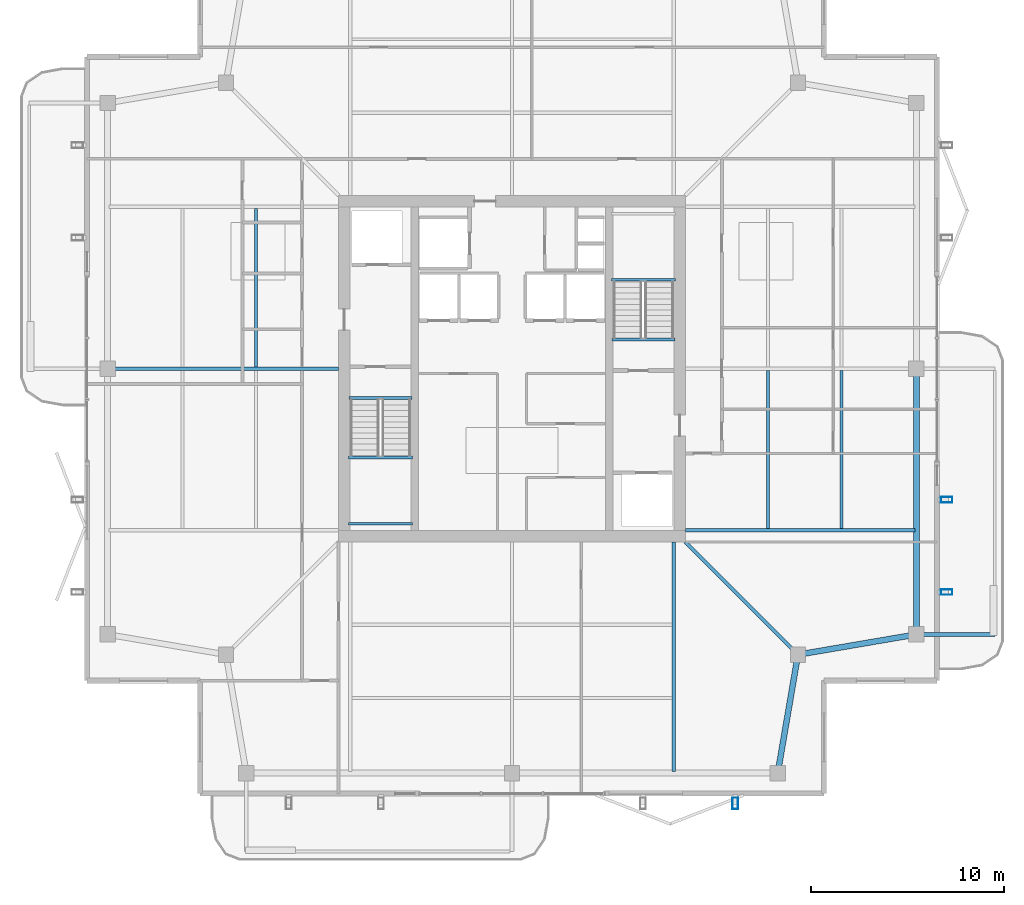
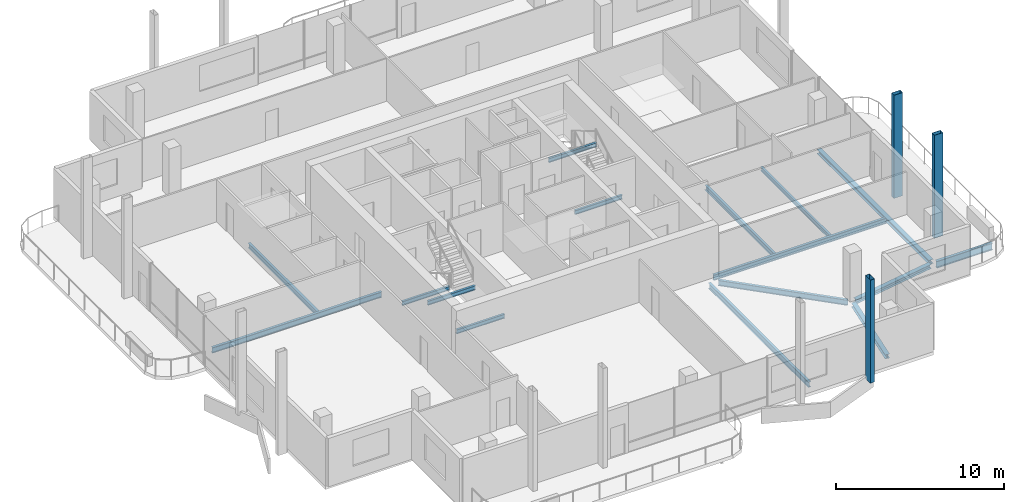
# One storey, part 8 of 22: 16 beams, 3 members.
"""IFC4 building model written with IfcOpenShell, lengths in metres."""

from ifc_helpers import new_model, si_unit, direction, frame, origin, origin_2d, place, context, subcontext, project, spatial, hollow_rectangle, i_section, extrude, material, material_profile, profile_set, type_object, element, save


model = new_model("IFC4")

# Units and contexts
model_context = context("Model", 3, precision=1e-05, world=origin(), true_north=direction((0.0, 1.0)))
body_context = subcontext(model_context, "Body", "Model", "MODEL_VIEW")
ifc_project = project(units=[si_unit("LENGTHUNIT", "METRE"), si_unit("AREAUNIT", "SQUARE_METRE"), si_unit("VOLUMEUNIT", "CUBIC_METRE"), si_unit("PLANEANGLEUNIT", "RADIAN"), si_unit("MASSUNIT", "GRAM", prefix="KILO")], contexts=[model_context])

# Site, building, storey
site_placement = place(None, origin())
site = spatial("IfcSite", under=ifc_project, at=site_placement, CompositionType="ELEMENT")
building_placement = place(site_placement, origin())
building = spatial("IfcBuilding", under=site, at=building_placement, Name="Belovzor Exchange Tower", CompositionType="ELEMENT")
storey_placement = place(building_placement, frame((0.0, 0.0, 336.75)))
storey = spatial("IfcBuildingStorey", under=building, at=storey_placement, Name="L84", CompositionType="ELEMENT", Elevation=336.75)

# Beams
ifc_material_1 = material(Name="Steel S355", Category="steel")
ifc_material_profile_1 = material_profile(ifc_material_1, i_section(OverallWidth=0.199951171875, OverallDepth=0.5, WebThickness=0.01025390625, FlangeThickness=0.01611328125, at=origin_2d()))
ifc_profile_set_1 = profile_set([ifc_material_profile_1], Name="Steel S355")
beam_type_1 = type_object("IfcBeamType", Name="Planted Balcony Cantilever Beam IPE 500", PredefinedType="BEAM", material=ifc_profile_set_1)
beam_1_placement = place(storey_placement, frame((50.02001953125, 15.0, -0.489990234375), z_axis=(1.0, 0.0, 0.0), x_axis=(0.0, 1.0, 0.0)))
element("IfcBeam", 1, at=beam_1_placement, inside=storey, type_object=beam_type_1, Name="BC-500 Planted Balcony Cantilever Beam IPE 500", PredefinedType="BEAM", context=body_context, shape_type="SweptSolid", body=[
    extrude(i_section(OverallWidth=0.199951171875, OverallDepth=0.5, WebThickness=0.01025390625, FlangeThickness=0.01611328125, at=origin_2d()), origin(), (0.0, 0.0, 1.0), 3.85009765625),
])
ifc_material_2 = material(Name="Steel S355", Category="steel")
ifc_material_profile_2 = material_profile(ifc_material_2, i_section(OverallWidth=0.169921875, OverallDepth=0.360107421875, WebThickness=0.008056640625, FlangeThickness=0.0126953125, at=origin_2d()))
ifc_profile_set_2 = profile_set([ifc_material_profile_2], Name="Steel S355")
beam_type_2 = type_object("IfcBeamType", Name="Secondary Infill Floor Joist IPE 360", PredefinedType="BEAM", material=ifc_profile_set_2)
beam_2_placement = place(storey_placement, frame((15.507080078125, 28.889892578125, -0.419921875), z_axis=(0.0, 1.0, 0.0), x_axis=(-1.0, 0.0, 0.0)))
element("IfcBeam", 2, at=beam_2_placement, inside=storey, type_object=beam_type_2, Name="FJ-360 Secondary Infill Floor Joist IPE 360", PredefinedType="BEAM", context=body_context, shape_type="SweptSolid", body=[
    extrude(i_section(OverallWidth=0.169921875, OverallDepth=0.360107421875, WebThickness=0.008056640625, FlangeThickness=0.0126953125, at=origin_2d()), origin(), (0.0, 0.0, 1.0), 8.22021484375),
])
beam_3_placement = place(storey_placement, frame((42.093017578125, 20.489990234375, -0.419921875), z_axis=(0.0, 1.0, 0.0), x_axis=(-1.0, 0.0, 0.0)))
element("IfcBeam", 3, at=beam_3_placement, inside=storey, type_object=beam_type_2, Name="FJ-360 Secondary Infill Floor Joist IPE 360", PredefinedType="BEAM", context=body_context, shape_type="SweptSolid", body=[
    extrude(i_section(OverallWidth=0.169921875, OverallDepth=0.360107421875, WebThickness=0.008056640625, FlangeThickness=0.0126953125, at=origin_2d()), origin(), (0.0, 0.0, 1.0), 8.219970703125),
])
ifc_material_3 = material(Name="Steel S355", Category="steel")
ifc_material_profile_3 = material_profile(ifc_material_3, i_section(OverallWidth=0.14990234375, OverallDepth=0.300048828125, WebThickness=0.007080078125, FlangeThickness=0.0107421875, at=origin_2d()))
ifc_profile_set_3 = profile_set([ifc_material_profile_3], Name="Steel S355")
beam_type_3 = type_object("IfcBeamType", Name="Secondary Trim Floor Joist IPE 300", PredefinedType="BEAM", material=ifc_profile_set_3)
for number, where, z_axis, x_axis, name in (
    (4, (20.320068359375, 24.179931640625, 1.52490234375), (1.0, 0.0, 0.0), (0.0, 1.0, 0.0), "FJ-300 Secondary Trim Floor Joist IPE 300"),
    (5, (20.320068359375, 20.75, 1.52490234375), (1.0, 0.0, 0.0), (0.0, 1.0, 0.0), "FJ-300 Secondary Trim Floor Joist IPE 300"),
):
    element("IfcBeam", number, at=place(storey_placement, frame(where, z_axis=z_axis, x_axis=x_axis)), inside=storey, type_object=beam_type_3, Name=name, PredefinedType="BEAM", context=body_context, shape_type="SweptSolid", body=[
        extrude(i_section(OverallWidth=0.14990234375, OverallDepth=0.300048828125, WebThickness=0.007080078125, FlangeThickness=0.0107421875, at=origin_2d()), origin(), (0.0, 0.0, 1.0), 3.309814453125),
    ])
beam_4_placement = place(storey_placement, frame((20.340087890625, 27.280029296875, -0.389892578125), z_axis=(1.0, 0.0, 0.0), x_axis=(0.0, 1.0, 0.0)))
element("IfcBeam", 6, at=beam_4_placement, inside=storey, type_object=beam_type_3, Name="FJ-300 Secondary Trim Floor Joist IPE 300", PredefinedType="BEAM", context=body_context, shape_type="SweptSolid", body=[
    extrude(i_section(OverallWidth=0.14990234375, OverallDepth=0.300048828125, WebThickness=0.007080078125, FlangeThickness=0.0107421875, at=origin_2d()), origin(), (0.0, 0.0, 1.0), 3.27001953125),
])
beam_5_placement = place(storey_placement, frame((37.280029296875, 33.419921875, 1.52490234375), z_axis=(-1.0, 0.0, 0.0), x_axis=(0.0, -1.0, 0.0)))
element("IfcBeam", 7, at=beam_5_placement, inside=storey, type_object=beam_type_3, Name="FJ-300 Secondary Trim Floor Joist IPE 300", PredefinedType="BEAM", context=body_context, shape_type="SweptSolid", body=[
    extrude(i_section(OverallWidth=0.14990234375, OverallDepth=0.300048828125, WebThickness=0.007080078125, FlangeThickness=0.0107421875, at=origin_2d()), origin(), (0.0, 0.0, 1.0), 3.31005859375),
])
beam_6_placement = place(storey_placement, frame((37.260009765625, 30.320068359375, -0.389892578125), z_axis=(-1.0, 0.0, 0.0), x_axis=(0.0, -1.0, 0.0)))
element("IfcBeam", 8, at=beam_6_placement, inside=storey, type_object=beam_type_3, Name="FJ-300 Secondary Trim Floor Joist IPE 300", PredefinedType="BEAM", context=body_context, shape_type="SweptSolid", body=[
    extrude(i_section(OverallWidth=0.14990234375, OverallDepth=0.300048828125, WebThickness=0.007080078125, FlangeThickness=0.0107421875, at=origin_2d()), origin(), (0.0, 0.0, 1.0), 3.27001953125),
])
beam_7_placement = place(storey_placement, frame((45.908935546875, 20.489990234375, -0.389892578125), z_axis=(0.0, 1.0, 0.0), x_axis=(-1.0, 0.0, 0.0)))
element("IfcBeam", 9, at=beam_7_placement, inside=storey, type_object=beam_type_3, Name="FJ-300 Secondary Trim Floor Joist IPE 300", PredefinedType="BEAM", context=body_context, shape_type="SweptSolid", body=[
    extrude(i_section(OverallWidth=0.14990234375, OverallDepth=0.300048828125, WebThickness=0.007080078125, FlangeThickness=0.0107421875, at=origin_2d()), origin(), (0.0, 0.0, 1.0), 8.219970703125),
])

# Members
ifc_material_4 = material(Name="Extruded Architectural Terracotta on Steel S355 Carrier", Category="masonry")
ifc_material_profile_4 = material_profile(ifc_material_4, hollow_rectangle(XDim=0.300048828125, YDim=0.60009765625, WallThickness=0.01611328125, at=origin_2d()))
ifc_profile_set_4 = profile_set([ifc_material_profile_4], Name="Extruded Architectural Terracotta on Steel S355 Carrier")
member_type = type_object("IfcMemberType", Name="Upper Crown Terracotta Fin Assembly 550", PredefinedType="USERDEFINED", material=ifc_profile_set_4)
for number, where, z_axis, x_axis, name in (
    (10, (51.375, 17.199951171875, -0.239990234375), (0.0, 0.0, 1.0), (0.0, 1.0, 0.0), "FIN-TC055 Terracotta Facade Fin L84 E1"),
    (11, (51.375, 22.0, -0.239990234375), (0.0, 0.0, 1.0), (0.0, 1.0, 0.0), "FIN-TC055 Terracotta Facade Fin L84 E2"),
    (12, (40.39990234375, 6.22509765625, -0.239990234375), (0.0, 0.0, 1.0), (1.0, 0.0, 0.0), "FIN-TC055 Terracotta Facade Fin L84 S4"),
):
    element("IfcMember", number, at=place(storey_placement, frame(where, z_axis=z_axis, x_axis=x_axis)), inside=storey, type_object=member_type, Name=name, ObjectType="FIN", PredefinedType="USERDEFINED", context=body_context, shape_type="SweptSolid", body=[
        extrude(hollow_rectangle(XDim=0.300048828125, YDim=0.60009765625, WallThickness=0.01611328125, at=origin_2d()), origin(), (0.0, 0.0, 1.0), 7.5),
    ])

# Beams
ifc_material_5 = material(Name="Steel S355", Category="steel")
ifc_material_profile_5 = material_profile(ifc_material_5, i_section(OverallWidth=0.179931640625, OverallDepth=0.39990234375, WebThickness=0.008544921875, FlangeThickness=0.013427734375, at=origin_2d()))
ifc_profile_set_5 = profile_set([ifc_material_profile_5], Name="Steel S355")
beam_type_4 = type_object("IfcBeamType", Name="Zone 5-6 Radial Composite Floor Beam IPE 400", PredefinedType="BEAM", material=ifc_profile_set_5)
beam_8_placement = place(storey_placement, frame((37.199951171875, 19.800048828125, -0.43994140625), z_axis=(0.0, -1.0, 0.0), x_axis=(1.0, 0.0, 0.0)))
element("IfcBeam", 13, at=beam_8_placement, inside=storey, type_object=beam_type_4, Name="FB-400 Zone 5-6 Radial Composite Floor Beam IPE 400", PredefinedType="BEAM", context=body_context, shape_type="SweptSolid", body=[
    extrude(i_section(OverallWidth=0.179931640625, OverallDepth=0.39990234375, WebThickness=0.008544921875, FlangeThickness=0.013427734375, at=origin_2d()), origin(), (0.0, 0.0, 1.0), 11.925048828125),
])
beam_9_placement = place(storey_placement, frame((19.800048828125, 28.800048828125, -0.43994140625), z_axis=(-1.0, 0.0, 0.0), x_axis=(0.0, -1.0, 0.0)))
element("IfcBeam", 14, at=beam_9_placement, inside=storey, type_object=beam_type_4, Name="FB-400 Zone 5-6 Radial Composite Floor Beam IPE 400", PredefinedType="BEAM", context=body_context, shape_type="SweptSolid", body=[
    extrude(i_section(OverallWidth=0.179931640625, OverallDepth=0.39990234375, WebThickness=0.008544921875, FlangeThickness=0.013427734375, at=origin_2d()), origin(), (0.0, 0.0, 1.0), 11.64794921875),
])
beam_10_placement = place(storey_placement, frame((37.800048828125, 20.39990234375, -0.43994140625), z_axis=(1.0, 0.0, 0.0), x_axis=(0.0, 1.0, 0.0)))
element("IfcBeam", 15, at=beam_10_placement, inside=storey, type_object=beam_type_4, Name="FB-400 Zone 5-6 Radial Composite Floor Beam IPE 400", PredefinedType="BEAM", context=body_context, shape_type="SweptSolid", body=[
    extrude(i_section(OverallWidth=0.179931640625, OverallDepth=0.39990234375, WebThickness=0.008544921875, FlangeThickness=0.013427734375, at=origin_2d()), origin(), (0.0, 0.0, 1.0), 11.925048828125),
])
beam_11_placement = place(storey_placement, frame((37.800048828125, 19.800048828125, -0.43994140625), z_axis=(0.707091503787, -0.707122058256, 0.0), x_axis=(0.707122058256, 0.707091503787, 0.0)))
element("IfcBeam", 16, at=beam_11_placement, inside=storey, type_object=beam_type_4, Name="FB-400 Zone 5-6 Radial Composite Floor Beam IPE 400", PredefinedType="BEAM", context=body_context, shape_type="SweptSolid", body=[
    extrude(i_section(OverallWidth=0.179931640625, OverallDepth=0.39990234375, WebThickness=0.008544921875, FlangeThickness=0.013427734375, at=origin_2d()), origin(), (0.0, 0.0, 1.0), 7.990234375),
])
ifc_material_6 = material(Name="Steel S355", Category="steel")
ifc_material_profile_6 = material_profile(ifc_material_6, i_section(OverallWidth=0.300048828125, OverallDepth=0.300048828125, WebThickness=0.008544921875, FlangeThickness=0.013916015625, at=origin_2d()))
ifc_profile_set_6 = profile_set([ifc_material_profile_6], Name="Steel S355")
beam_type_5 = type_object("IfcBeamType", Name="Zone 6 Primary Girder HEA 300", PredefinedType="BEAM", material=ifc_profile_set_6)
beam_12_placement = place(storey_placement, frame((42.636962890625, 8.01708984375, -0.389892578125), z_axis=(0.168330389085, 0.985730632633, 0.0), x_axis=(-0.985730632633, 0.168330389085, 0.0)))
element("IfcBeam", 17, at=beam_12_placement, inside=storey, type_object=beam_type_5, Name="FG-Z6 Zone 6 Primary Girder HEA 300", PredefinedType="BEAM", context=body_context, shape_type="SweptSolid", body=[
    extrude(i_section(OverallWidth=0.300048828125, OverallDepth=0.300048828125, WebThickness=0.008544921875, FlangeThickness=0.013916015625, at=origin_2d()), origin(), (0.0, 0.0, 1.0), 5.798583984375),
])
beam_13_placement = place(storey_placement, frame((43.866943359375, 13.987060546875, -0.389892578125), z_axis=(0.985738810392, 0.168282493706, 0.0), x_axis=(-0.168282493706, 0.985738810392, 0.0)))
element("IfcBeam", 18, at=beam_13_placement, inside=storey, type_object=beam_type_5, Name="FG-Z6 Zone 6 Primary Girder HEA 300", PredefinedType="BEAM", context=body_context, shape_type="SweptSolid", body=[
    extrude(i_section(OverallWidth=0.300048828125, OverallDepth=0.300048828125, WebThickness=0.008544921875, FlangeThickness=0.013916015625, at=origin_2d()), origin(), (0.0, 0.0, 1.0), 5.798828125),
])
beam_14_placement = place(storey_placement, frame((49.800048828125, 15.219970703125, -0.389892578125), z_axis=(0.0, 1.0, 0.0), x_axis=(-1.0, 0.0, 0.0)))
element("IfcBeam", 19, at=beam_14_placement, inside=storey, type_object=beam_type_5, Name="FG-Z6 Zone 6 Primary Girder HEA 300", PredefinedType="BEAM", context=body_context, shape_type="SweptSolid", body=[
    extrude(i_section(OverallWidth=0.300048828125, OverallDepth=0.300048828125, WebThickness=0.008544921875, FlangeThickness=0.013916015625, at=origin_2d()), origin(), (0.0, 0.0, 1.0), 13.360107421875),
])

save(model, "model.ifc")
